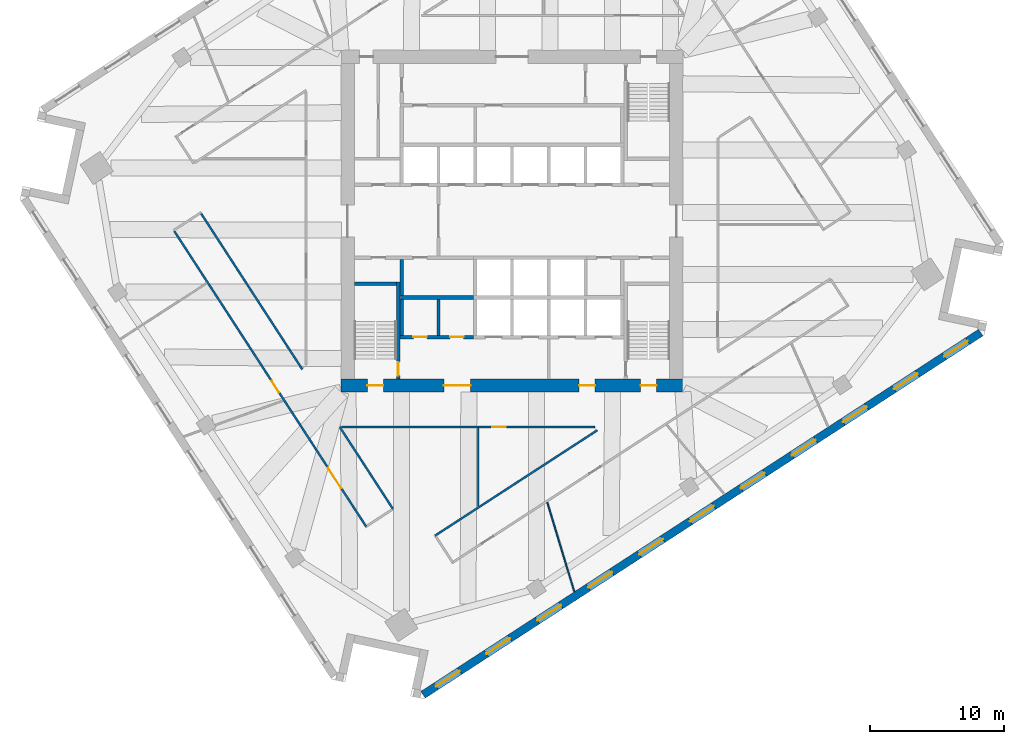
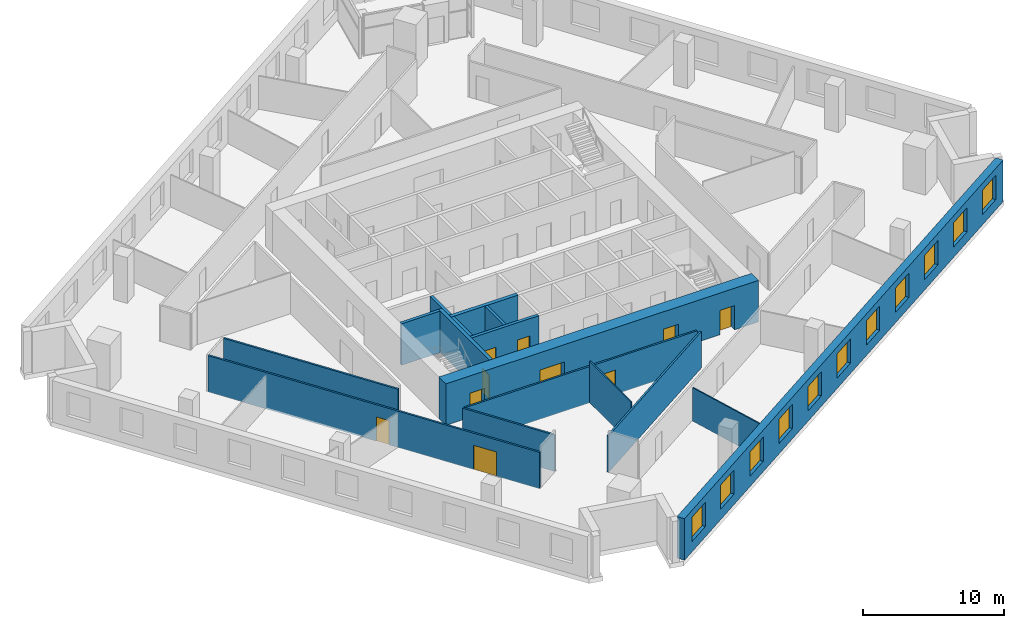
# One storey, part 6 of 12: 16 walls, 11 windows, 10 doors, 21 openings.
"""IFC4 building model written with IfcOpenShell, lengths in metres."""

import ifcopenshell
import ifcopenshell.guid

model = None  # the IFC model being written
_history = None  # IfcOwnerHistory: only IFC2X3 demands one
_inside = {}  # id of a spatial element -> (the spatial element, [elements in it])
_under = {}  # id of a project, library or spatial element -> (it, [spatial elements below it])
_declared = {}  # id of a project -> (the project, [libraries it declares])
_typed = {}  # id of a type object -> (the type object, [elements of that type])
_made_of = {}  # id of a material, layer set ... -> (it, [elements and type objects made of it])


def new_model(schema):
    """Start an empty IFC model of exactly this schema.

    Asked for "IFC4X3", IfcOpenShell would pick the latest addendum, in which some entities
    have other attributes; the version numbers below select the first issue.
    IFC2X3 requires an IfcOwnerHistory on every rooted entity: one is made here for all.
    """
    global model, _history
    if schema == "IFC4X3":
        model = ifcopenshell.file(schema_version=(4, 3, 0, 0))
    else:
        model = ifcopenshell.file(schema=schema)
    _inside.clear()
    _under.clear()
    _declared.clear()
    _typed.clear()
    _made_of.clear()
    _history = None
    if model.schema == "IFC2X3":
        org = make("IfcOrganization", Name="unknown")
        user = make(
            "IfcPersonAndOrganization",
            ThePerson=make("IfcPerson", FamilyName="unknown"),
            TheOrganization=org,
        )
        app = make(
            "IfcApplication",
            ApplicationDeveloper=org,
            Version="unknown",
            ApplicationFullName="unknown",
            ApplicationIdentifier="unknown",
        )
        _history = make(
            "IfcOwnerHistory",
            OwningUser=user,
            OwningApplication=app,
            ChangeAction="ADDED",
            CreationDate=0,
        )
    return model


def make(cls, **values):
    """One entity of the class cls with the attributes given. An attribute that is None is left unset."""
    return model.create_entity(
        cls, **{name: value for name, value in values.items() if value is not None}
    )


def rooted(cls, **values):
    """An entity with a GlobalId (a new one), such as an element, a storey or a relation."""
    return make(cls, GlobalId=ifcopenshell.guid.new(), OwnerHistory=_history, **values)


def si_unit(unit_type, name, prefix=None):
    """IfcSIUnit, for example si_unit("LENGTHUNIT", "METRE", prefix="MILLI")."""
    return make("IfcSIUnit", UnitType=unit_type, Prefix=prefix, Name=name)


def assignment(units):
    """IfcUnitAssignment: the units of a project."""
    return None if units is None else make("IfcUnitAssignment", Units=units)


def point(xyz):
    """IfcCartesianPoint."""
    return None if xyz is None else make("IfcCartesianPoint", Coordinates=xyz)


def direction(xyz):
    """IfcDirection."""
    return None if xyz is None else make("IfcDirection", DirectionRatios=xyz)


def frame(location, z_axis=None, x_axis=None):
    """IfcAxis2Placement3D, a coordinate frame: its origin and axes. An axis left out is left unset."""
    return make(
        "IfcAxis2Placement3D",
        Location=point(location),
        Axis=direction(z_axis),
        RefDirection=direction(x_axis),
    )


def frame_2d(location, x_axis=None):
    """IfcAxis2Placement2D, a coordinate frame in the plane: its origin and x axis."""
    return make(
        "IfcAxis2Placement2D", Location=point(location), RefDirection=direction(x_axis)
    )


def origin():
    """The frame at (0, 0, 0) with its axes left unset."""
    return frame((0.0, 0.0, 0.0))


def place(relative_to, where):
    """IfcLocalPlacement: puts the frame where relative to a parent placement (None: the world)."""
    return make(
        "IfcLocalPlacement", PlacementRelTo=relative_to, RelativePlacement=where
    )


def context(
    kind, dimensions, precision=None, world=None, true_north=None, identifier=None
):
    """IfcGeometricRepresentationContext, for example the 3D "Model" context."""
    return make(
        "IfcGeometricRepresentationContext",
        ContextIdentifier=identifier,
        ContextType=kind,
        CoordinateSpaceDimension=dimensions,
        Precision=precision,
        WorldCoordinateSystem=world,
        TrueNorth=true_north,
    )


def subcontext(parent, identifier, kind, view, scale=None):
    """IfcGeometricRepresentationSubContext, for example "Body" below "Model"."""
    return make(
        "IfcGeometricRepresentationSubContext",
        ContextIdentifier=identifier,
        ContextType=kind,
        ParentContext=parent,
        TargetScale=scale,
        TargetView=view,
    )


def project(units=None, contexts=None):
    """IfcProject with its units and contexts."""
    return rooted(
        "IfcProject",
        Name="project",
        RepresentationContexts=contexts,
        UnitsInContext=assignment(units),
    )


def spatial(cls, under=None, at=None, **own):
    """A site, building, storey or space (cls), placed at a placement, below another one or the project."""
    s = rooted(cls, ObjectPlacement=at, **own)
    if under is not None:
        _under.setdefault(under.id(), (under, []))[1].append(s)
    return s


def profile(cls, at=None, kind="AREA", **sizes):
    """A parametric profile (cls). Its sizes go by their IFC names, for example OverallWidth=200.0."""
    return make(cls, ProfileType=kind, Position=at, **sizes)


def rectangle(**sizes):
    """IfcRectangleProfileDef."""
    return profile("IfcRectangleProfileDef", **sizes)


def extrude(swept, where, along, depth):
    """IfcExtrudedAreaSolid: the profile swept, set in the frame where, extruded along a direction by depth."""
    return make(
        "IfcExtrudedAreaSolid",
        SweptArea=swept,
        Position=where,
        ExtrudedDirection=direction(along),
        Depth=depth,
    )


def shape(context_of_items, identifier, shape_type, items):
    """IfcShapeRepresentation: the items that make up one representation, for example the "Body"."""
    return make(
        "IfcShapeRepresentation",
        ContextOfItems=context_of_items,
        RepresentationIdentifier=identifier,
        RepresentationType=shape_type,
        Items=items,
    )


def material(Name=None, Category=None):
    """IfcMaterial."""
    return make("IfcMaterial", Name=Name, Category=Category)


def layer(
    of_material, thickness, ventilated=None, Name=None, Category=None, Priority=None
):
    """IfcMaterialLayer: one layer of a wall or slab, of a material (None: an air gap)."""
    return make(
        "IfcMaterialLayer",
        Material=of_material,
        LayerThickness=thickness,
        IsVentilated=ventilated,
        Name=Name,
        Category=Category,
        Priority=Priority,
    )


def layer_set(layers, Name=None):
    """IfcMaterialLayerSet."""
    return make("IfcMaterialLayerSet", MaterialLayers=layers, LayerSetName=Name)


def made_of(thing, what):
    """Note that an element or type object is made of a material, layer set ...; save() writes the relation."""
    if what is not None:
        _made_of.setdefault(what.id(), (what, []))[1].append(thing)
    return thing


def type_object(cls, material=None, **own):
    """A type object (cls), such as IfcWallType, which elements share."""
    return made_of(rooted(cls, **own), material)


def element(
    cls,
    number,
    at=None,
    inside=None,
    cuts=None,
    type_object=None,
    material=None,
    context=None,
    identifier="Body",
    shape_type=None,
    held_by="IfcProductDefinitionShape",
    body=None,
    shapes=None,
    **own,
):
    """One element of the class cls, such as IfcWall. Its Tag is "e" and its number.

    at: its placement. inside: the storey or other place that contains it. cuts: it is an
    opening in that element (IfcRelVoidsElement). A single representation is given by context,
    identifier, shape_type and body (its items); several are given by shapes. held_by: the class
    of the entity that holds the representations. save() writes the other relations.
    """
    e = rooted(cls, Tag="e%d" % number, ObjectPlacement=at, **own)
    if body is not None:
        shapes = [shape(context, identifier, shape_type, body)]
    if shapes is not None:
        e.Representation = make(held_by, Representations=shapes)
    if inside is not None:
        _inside.setdefault(inside.id(), (inside, []))[1].append(e)
    if cuts is not None:
        rooted(
            "IfcRelVoidsElement", RelatingBuildingElement=cuts, RelatedOpeningElement=e
        )
    if type_object is not None:
        _typed.setdefault(type_object.id(), (type_object, []))[1].append(e)
    return made_of(e, material)


def fill(opening, filler):
    """IfcRelFillsElement: the door or window that sits in an opening."""
    return rooted(
        "IfcRelFillsElement",
        RelatingOpeningElement=opening,
        RelatedBuildingElement=filler,
    )


def aggregate(whole, parts):
    """IfcRelAggregates: a whole, such as a stair, and the parts it consists of."""
    return rooted("IfcRelAggregates", RelatingObject=whole, RelatedObjects=parts)


def save(model, path):
    """Write the relations noted so far, then the file.

    IfcRelAggregates (storeys below a building ...), IfcRelContainedInSpatialStructure (elements
    in a storey), IfcRelDefinesByType, IfcRelAssociatesMaterial and IfcRelDeclares: one each for
    every whole, place, type object, material and project.
    """
    for whole, parts in _under.values():
        aggregate(whole, parts)
    for where, things in _inside.values():
        rooted(
            "IfcRelContainedInSpatialStructure",
            RelatedElements=things,
            RelatingStructure=where,
        )
    for kind, things in _typed.values():
        rooted("IfcRelDefinesByType", RelatedObjects=things, RelatingType=kind)
    for what, things in _made_of.values():
        rooted("IfcRelAssociatesMaterial", RelatedObjects=things, RelatingMaterial=what)
    for by, libraries in _declared.values():
        rooted("IfcRelDeclares", RelatingContext=by, RelatedDefinitions=libraries)
    model.write(path)


model = new_model("IFC4")

# Units and contexts
model_context = context("Model", 3, precision=1e-05, world=origin(), true_north=direction((0.0, 1.0)))
body_context = subcontext(model_context, "Body", "Model", "MODEL_VIEW")
ifc_project = project(units=[si_unit("LENGTHUNIT", "METRE"), si_unit("AREAUNIT", "SQUARE_METRE"), si_unit("VOLUMEUNIT", "CUBIC_METRE"), si_unit("PLANEANGLEUNIT", "RADIAN"), si_unit("MASSUNIT", "GRAM", prefix="KILO")], contexts=[model_context])

# Site, building, storey
site_placement = place(None, origin())
site = spatial("IfcSite", under=ifc_project, at=site_placement, CompositionType="ELEMENT")
building_placement = place(site_placement, origin())
building = spatial("IfcBuilding", under=site, at=building_placement, Name="Dilmun Exchange Tower", CompositionType="ELEMENT")
storey_placement = place(building_placement, frame((0.0, 0.0, 155.699951171875)))
storey = spatial("IfcBuildingStorey", under=building, at=storey_placement, Name="L36", CompositionType="ELEMENT", Elevation=155.699951171875)

# Wall
ifc_material_1 = material(Name="Concrete C40/50", Category="concrete")
ifc_layer_1 = layer(ifc_material_1, 0.199951171875)
ifc_layer_set_1 = layer_set([ifc_layer_1], Name="Concrete C40/50")
wall_type_1 = type_object("IfcWallType", Name="Core partition wall 200", PredefinedType="PARTITIONING", material=ifc_layer_set_1)
wall_1_placement = place(storey_placement, frame((-5.5, -8.544921875, 0.0), z_axis=(0.0, 0.0, 1.0), x_axis=(0.0, 1.0, 0.0)))
element("IfcWall", 1, at=wall_1_placement, inside=storey, type_object=wall_type_1, Name="L36 core partition wall 04", PredefinedType="PARTITIONING", context=body_context, shape_type="SweptSolid", body=[
    extrude(rectangle(XDim=2.68994140625, YDim=0.199951171875, at=frame_2d((1.344970703125, 0.0))), origin(), (0.0, 0.0, 1.0), 3.60009765625),
])

# Wall, openings, doors
ifc_layer_2 = layer(ifc_material_1, 0.25)
ifc_layer_set_2 = layer_set([ifc_layer_2], Name="Concrete C40/50")
wall_type_2 = type_object("IfcWallType", Name="Core partition wall 250", PredefinedType="PARTITIONING", material=ifc_layer_set_2)
wall_2_placement = place(storey_placement, frame((-8.3701171875, -8.675048828125, 0.0), z_axis=(0.0, 0.0, 1.0), x_axis=(1.0, 0.0, 0.0)))
wall_2 = element("IfcWall", 2, at=wall_2_placement, inside=storey, type_object=wall_type_2, Name="L36 core partition wall 02", PredefinedType="PARTITIONING", context=body_context, shape_type="SweptSolid", body=[
    extrude(rectangle(XDim=5.490234375, YDim=0.25, at=frame_2d((2.7451171875, 0.0))), origin(), (0.0, 0.0, 1.0), 3.60009765625),
])
opening_1_placement = place(wall_2_placement, frame((0.9951171875, 0.0, 0.0)))
opening_1 = element("IfcOpeningElement", 3, at=opening_1_placement, cuts=wall_2, Name="Opening CD4", PredefinedType="OPENING", context=body_context, shape_type="SweptSolid", body=[
    extrude(rectangle(XDim=1.0, YDim=2.10009765625, at=frame_2d((0.5, 1.050048828125))), frame((0.0, 0.135009765625, 0.0), z_axis=(0.0, -1.0, 0.0), x_axis=(1.0, 0.0, 0.0)), (0.0, 0.0, 1.0), 0.27001953125),
])
opening_2_placement = place(wall_2_placement, frame((3.7451171875, 0.0, 0.0)))
opening_2 = element("IfcOpeningElement", 4, at=opening_2_placement, cuts=wall_2, Name="Opening CD4", PredefinedType="OPENING", context=body_context, shape_type="SweptSolid", body=[
    extrude(rectangle(XDim=1.0, YDim=2.10009765625, at=frame_2d((0.5, 1.050048828125))), frame((0.0, 0.135009765625, 0.0), z_axis=(0.0, -1.0, 0.0), x_axis=(1.0, 0.0, 0.0)), (0.0, 0.0, 1.0), 0.27001953125),
])
ifc_material_2 = material(Name="Fire-rated steel door set", Category="steel")
door_type_1 = type_object("IfcDoorType", Name="Core room door 1000x2100", OperationType="SINGLE_SWING_LEFT", PredefinedType="DOOR", material=ifc_material_2)
door_1_placement = place(opening_1_placement, origin())
door_1 = element("IfcDoor", 5, at=door_1_placement, inside=storey, type_object=door_type_1, Name="L36 door Male WC", OperationType="SINGLE_SWING_LEFT", OverallHeight=2.10009765625, OverallWidth=1.0, PredefinedType="DOOR", context=body_context, shape_type="SweptSolid", body=[
    extrude(rectangle(XDim=1.0, YDim=2.10009765625, at=frame_2d((0.5, 1.050048828125))), frame((0.0, 0.02490234375, 0.0), z_axis=(0.0, -1.0, 0.0), x_axis=(1.0, 0.0, 0.0)), (0.0, 0.0, 1.0), 0.050048828125),
])
fill(opening_1, door_1)
door_2_placement = place(opening_2_placement, origin())
door_2 = element("IfcDoor", 6, at=door_2_placement, inside=storey, type_object=door_type_1, Name="L36 door Female WC", OperationType="SINGLE_SWING_LEFT", OverallHeight=2.10009765625, OverallWidth=1.0, PredefinedType="DOOR", context=body_context, shape_type="SweptSolid", body=[
    extrude(rectangle(XDim=1.0, YDim=2.10009765625, at=frame_2d((0.5, 1.050048828125))), frame((0.0, 0.02490234375, 0.0), z_axis=(0.0, -1.0, 0.0), x_axis=(1.0, 0.0, 0.0)), (0.0, 0.0, 1.0), 0.050048828125),
])
fill(opening_2, door_2)

# Walls
for number, where, z_axis, x_axis, name in (
    (7, (-8.25, -8.544921875, 0.0), (0.0, 0.0, 1.0), (0.0, 1.0, 0.0), "L36 core partition wall 03"),
    (8, (-8.25, -5.544921875, 0.0), (0.0, 0.0, 1.0), (0.0, 1.0, 0.0), "L36 core partition wall 06"),
):
    element("IfcWall", number, at=place(storey_placement, frame(where, z_axis=z_axis, x_axis=x_axis)), inside=storey, type_object=wall_type_2, Name=name, PredefinedType="PARTITIONING", context=body_context, shape_type="SweptSolid", body=[
        extrude(rectangle(XDim=2.68994140625, YDim=0.25, at=frame_2d((1.344970703125, 0.0))), origin(), (0.0, 0.0, 1.0), 3.60009765625),
    ])
ifc_layer_3 = layer(ifc_material_1, 0.300048828125)
ifc_layer_set_3 = layer_set([ifc_layer_3], Name="Concrete C40/50")
wall_type_3 = type_object("IfcWallType", Name="Core partition wall 300", PredefinedType="PARTITIONING", material=ifc_layer_set_3)
wall_3_placement = place(storey_placement, frame((-8.35009765625, -5.699951171875, 0.0), z_axis=(0.0, 0.0, 1.0), x_axis=(1.0, 0.0, 0.0)))
element("IfcWall", 9, at=wall_3_placement, inside=storey, type_object=wall_type_3, Name="L36 core partition wall 05", PredefinedType="PARTITIONING", context=body_context, shape_type="SweptSolid", body=[
    extrude(rectangle(XDim=5.47021484375, YDim=0.300048828125, at=frame_2d((2.735107421875, 0.0))), origin(), (0.0, 0.0, 1.0), 3.60009765625),
])

# Wall, openings, doors
ifc_material_3 = material(Name="Concrete C70/85", Category="concrete")
ifc_layer_4 = layer(ifc_material_3, 1.0)
ifc_layer_set_4 = layer_set([ifc_layer_4], Name="Concrete C70/85")
wall_type_4 = type_object("IfcWallType", Name="Core shear wall 1000 Concrete C70/85", PredefinedType="SHEAR", material=ifc_layer_set_4)
wall_4_placement = place(storey_placement, frame((-12.800048828125, -12.300048828125, 0.0), z_axis=(0.0, 0.0, 1.0), x_axis=(1.0, 0.0, 0.0)))
wall_4 = element("IfcWall", 10, at=wall_4_placement, inside=storey, type_object=wall_type_4, Name="L36 core shear wall S", PredefinedType="SHEAR", context=body_context, shape_type="SweptSolid", body=[
    extrude(rectangle(XDim=25.60009765625, YDim=1.0, at=frame_2d((12.800048828125, 0.0))), origin(), (0.0, 0.0, 1.0), 3.60009765625),
])
opening_3_placement = place(wall_4_placement, frame((7.699951171875, 0.0, 0.0)))
opening_3 = element("IfcOpeningElement", 11, at=opening_3_placement, cuts=wall_4, Name="Opening CD2", PredefinedType="OPENING", context=body_context, shape_type="SweptSolid", body=[
    extrude(rectangle(XDim=2.0, YDim=2.10009765625, at=frame_2d((1.0, 1.050048828125))), frame((0.0, 0.510009765625, 0.0), z_axis=(0.0, -1.0, 0.0), x_axis=(1.0, 0.0, 0.0)), (0.0, 0.0, 1.0), 1.02001953125),
])
opening_4_placement = place(wall_4_placement, frame((17.824951171875, 0.0, 0.0)))
opening_4 = element("IfcOpeningElement", 12, at=opening_4_placement, cuts=wall_4, Name="Opening CD3", PredefinedType="OPENING", context=body_context, shape_type="SweptSolid", body=[
    extrude(rectangle(XDim=1.199951171875, YDim=2.10009765625, at=frame_2d((0.60009765625, 1.050048828125))), frame((0.0, 0.510009765625, 0.0), z_axis=(0.0, -1.0, 0.0), x_axis=(1.0, 0.0, 0.0)), (0.0, 0.0, 1.0), 1.02001953125),
])
opening_5_placement = place(wall_4_placement, frame((1.97509765625, 0.0, 0.0)))
opening_5 = element("IfcOpeningElement", 13, at=opening_5_placement, cuts=wall_4, Name="Opening CD3", PredefinedType="OPENING", context=body_context, shape_type="SweptSolid", body=[
    extrude(rectangle(XDim=1.199951171875, YDim=2.10009765625, at=frame_2d((0.60009765625, 1.050048828125))), frame((0.0, 0.510009765625, 0.0), z_axis=(0.0, -1.0, 0.0), x_axis=(1.0, 0.0, 0.0)), (0.0, 0.0, 1.0), 1.02001953125),
])
opening_6_placement = place(wall_4_placement, frame((22.425048828125, 0.0, 0.0)))
opening_6 = element("IfcOpeningElement", 14, at=opening_6_placement, cuts=wall_4, Name="Opening CD3", PredefinedType="OPENING", context=body_context, shape_type="SweptSolid", body=[
    extrude(rectangle(XDim=1.199951171875, YDim=2.10009765625, at=frame_2d((0.60009765625, 1.050048828125))), frame((0.0, 0.510009765625, 0.0), z_axis=(0.0, -1.0, 0.0), x_axis=(1.0, 0.0, 0.0)), (0.0, 0.0, 1.0), 1.02001953125),
])
door_type_2 = type_object("IfcDoorType", Name="Core service door 2000x2100", OperationType="DOUBLE_DOOR_DOUBLE_SWING", PredefinedType="DOOR", material=ifc_material_2)
door_3_placement = place(opening_3_placement, origin())
door_3 = element("IfcDoor", 15, at=door_3_placement, inside=storey, type_object=door_type_2, Name="L36 door South service lobby", OperationType="SINGLE_SWING_LEFT", OverallHeight=2.10009765625, OverallWidth=2.0, PredefinedType="DOOR", context=body_context, shape_type="SweptSolid", body=[
    extrude(rectangle(XDim=2.0, YDim=2.10009765625, at=frame_2d((1.0, 1.050048828125))), frame((0.0, 0.02490234375, 0.0), z_axis=(0.0, -1.0, 0.0), x_axis=(1.0, 0.0, 0.0)), (0.0, 0.0, 1.0), 0.050048828125),
])
fill(opening_3, door_3)
door_type_3 = type_object("IfcDoorType", Name="Stair exit door 1200x2100", OperationType="SINGLE_SWING_LEFT", PredefinedType="DOOR", material=ifc_material_2)
door_4_placement = place(opening_4_placement, origin())
door_4 = element("IfcDoor", 16, at=door_4_placement, inside=storey, type_object=door_type_3, Name="L36 door Fire-fighting lobby", OperationType="SINGLE_SWING_LEFT", OverallHeight=2.10009765625, OverallWidth=1.199951171875, PredefinedType="DOOR", context=body_context, shape_type="SweptSolid", body=[
    extrude(rectangle(XDim=1.199951171875, YDim=2.10009765625, at=frame_2d((0.60009765625, 1.050048828125))), frame((0.0, 0.02490234375, 0.0), z_axis=(0.0, -1.0, 0.0), x_axis=(1.0, 0.0, 0.0)), (0.0, 0.0, 1.0), 0.050048828125),
])
fill(opening_4, door_4)
door_5_placement = place(opening_5_placement, origin())
door_5 = element("IfcDoor", 17, at=door_5_placement, inside=storey, type_object=door_type_3, Name="L36 door Stair ST2", OperationType="SINGLE_SWING_LEFT", OverallHeight=2.10009765625, OverallWidth=1.199951171875, PredefinedType="DOOR", context=body_context, shape_type="SweptSolid", body=[
    extrude(rectangle(XDim=1.199951171875, YDim=2.10009765625, at=frame_2d((0.60009765625, 1.050048828125))), frame((0.0, 0.02490234375, 0.0), z_axis=(0.0, -1.0, 0.0), x_axis=(1.0, 0.0, 0.0)), (0.0, 0.0, 1.0), 0.050048828125),
])
fill(opening_5, door_5)
door_6_placement = place(opening_6_placement, origin())
door_6 = element("IfcDoor", 18, at=door_6_placement, inside=storey, type_object=door_type_3, Name="L36 door Stair ST3", OperationType="SINGLE_SWING_LEFT", OverallHeight=2.10009765625, OverallWidth=1.199951171875, PredefinedType="DOOR", context=body_context, shape_type="SweptSolid", body=[
    extrude(rectangle(XDim=1.199951171875, YDim=2.10009765625, at=frame_2d((0.60009765625, 1.050048828125))), frame((0.0, 0.02490234375, 0.0), z_axis=(0.0, -1.0, 0.0), x_axis=(1.0, 0.0, 0.0)), (0.0, 0.0, 1.0), 0.050048828125),
])
fill(opening_6, door_6)

ifc_material_4 = material(Name="Corridor wall 150")
ifc_layer_5 = layer(ifc_material_4, 0.14990234375)
ifc_layer_set_5 = layer_set([ifc_layer_5], Name="Corridor wall 150")
wall_type_5 = type_object("IfcWallType", Name="Corridor wall 150", PredefinedType="PARTITIONING", material=ifc_layer_set_5)
wall_5_placement = place(storey_placement, frame((-25.27099609375, -0.743896484375, 0.0), z_axis=(0.0, 0.0, 1.0), x_axis=(0.544659433471, -0.838657320681, 0.0)))
wall_5 = element("IfcWall", 19, at=wall_5_placement, inside=storey, type_object=wall_type_5, Name="Corridor wall", PredefinedType="PARTITIONING", context=body_context, shape_type="SweptSolid", body=[
    extrude(rectangle(XDim=26.35400390625, YDim=0.14990234375, at=frame_2d((13.177001953125, 0.0))), origin(), (0.0, 0.0, 1.0), 3.150146484375),
])
opening_7_placement = place(wall_5_placement, frame((13.3876953125, 0.0, 0.0)))
opening_7 = element("IfcOpeningElement", 20, at=opening_7_placement, cuts=wall_5, Name="Opening TF36-D03", PredefinedType="OPENING", context=body_context, shape_type="SweptSolid", body=[
    extrude(rectangle(XDim=1.0, YDim=2.10009765625, at=frame_2d((0.5, 1.050048828125))), frame((0.0, 0.0849609375, 0.0), z_axis=(0.0, -1.0, 0.0), x_axis=(1.0, 0.0, 0.0)), (0.0, 0.0, 1.0), 0.169921875),
])
opening_8_placement = place(wall_5_placement, frame((21.13671875, 0.0, 0.0)))
opening_8 = element("IfcOpeningElement", 21, at=opening_8_placement, cuts=wall_5, Name="Opening TF36-D07", PredefinedType="OPENING", context=body_context, shape_type="SweptSolid", body=[
    extrude(rectangle(XDim=1.800048828125, YDim=2.10009765625, at=frame_2d((0.89990234375, 1.050048828125))), frame((0.0, 0.0849609375, 0.0), z_axis=(0.0, -1.0, 0.0), x_axis=(1.0, 0.0, 0.0)), (0.0, 0.0, 1.0), 0.169921875),
])
ifc_material_5 = material(Name="Fire door 1000 x 2100")
door_type_4 = type_object("IfcDoorType", Name="Fire door 1000 x 2100", OperationType="NOTDEFINED", PredefinedType="DOOR", material=ifc_material_5)
door_7_placement = place(opening_7_placement, frame((1.0, 0.0, 0.0), z_axis=(0.0, 0.0, 1.0), x_axis=(-1.0, 0.0, 0.0)))
door_7 = element("IfcDoor", 22, at=door_7_placement, inside=storey, type_object=door_type_4, Name="Door TF36-D03", OperationType="SINGLE_SWING_LEFT", OverallHeight=2.10009765625, OverallWidth=1.0, PredefinedType="DOOR", context=body_context, shape_type="SweptSolid", body=[
    extrude(rectangle(XDim=1.0, YDim=2.10009765625, at=frame_2d((0.5, 1.050048828125))), frame((0.0, 0.02490234375, 0.0), z_axis=(0.0, -1.0, 0.0), x_axis=(1.0, 0.0, 0.0)), (0.0, 0.0, 1.0), 0.050048828125),
])
fill(opening_7, door_7)
ifc_material_6 = material(Name="Fire door pair 1800 x 2100")
door_type_5 = type_object("IfcDoorType", Name="Fire door pair 1800 x 2100", OperationType="NOTDEFINED", PredefinedType="DOOR", material=ifc_material_6)
door_8_placement = place(opening_8_placement, frame((1.800048828125, 0.0, 0.0), z_axis=(0.0, 0.0, 1.0), x_axis=(-1.0, 0.0, 0.0)))
door_8 = element("IfcDoor", 23, at=door_8_placement, inside=storey, type_object=door_type_5, Name="Door TF36-D07", OperationType="DOUBLE_DOOR_SINGLE_SWING", OverallHeight=2.10009765625, OverallWidth=1.800048828125, PredefinedType="DOOR", context=body_context, shape_type="SweptSolid", body=[
    extrude(rectangle(XDim=1.800048828125, YDim=2.10009765625, at=frame_2d((0.89990234375, 1.050048828125))), frame((0.0, 0.02490234375, 0.0), z_axis=(0.0, -1.0, 0.0), x_axis=(1.0, 0.0, 0.0)), (0.0, 0.0, 1.0), 0.050048828125),
])
fill(opening_8, door_8)

# Walls
wall_6_placement = place(storey_placement, frame((-23.258056640625, 0.56298828125, 0.0), z_axis=(0.0, 0.0, 1.0), x_axis=(0.544638327972, -0.838671027104, 0.0)))
element("IfcWall", 24, at=wall_6_placement, inside=storey, type_object=wall_type_5, Name="Corridor wall", PredefinedType="PARTITIONING", context=body_context, shape_type="SweptSolid", body=[
    extrude(rectangle(XDim=13.90283203125, YDim=0.14990234375, at=frame_2d((6.951416015625, 0.0))), origin(), (0.0, 0.0, 1.0), 3.150146484375),
])
wall_7_placement = place(storey_placement, frame((-12.89111328125, -15.39990234375, 0.0), z_axis=(0.0, 0.0, 1.0), x_axis=(0.544568574612, -0.838716321258, 0.0)))
element("IfcWall", 25, at=wall_7_placement, inside=storey, type_object=wall_type_5, Name="Corridor wall", PredefinedType="PARTITIONING", context=body_context, shape_type="SweptSolid", body=[
    extrude(rectangle(XDim=7.31982421875, YDim=0.14990234375, at=frame_2d((3.659912109375, 0.0))), origin(), (0.0, 0.0, 1.0), 3.150146484375),
])

# Wall, opening, door
wall_8_placement = place(storey_placement, frame((-12.7529296875, -15.39990234375, 0.0), z_axis=(0.0, 0.0, 1.0), x_axis=(1.0, 0.0, 0.0)))
wall_8 = element("IfcWall", 26, at=wall_8_placement, inside=storey, type_object=wall_type_5, Name="Corridor wall", PredefinedType="PARTITIONING", context=body_context, shape_type="SweptSolid", body=[
    extrude(rectangle(XDim=18.98193359375, YDim=0.14990234375, at=frame_2d((9.490966796875, 0.0))), origin(), (0.0, 0.0, 1.0), 3.150146484375),
])
opening_9_placement = place(wall_8_placement, frame((11.275390625, 0.0, 0.0)))
opening_9 = element("IfcOpeningElement", 27, at=opening_9_placement, cuts=wall_8, Name="Opening TF36-D11", PredefinedType="OPENING", context=body_context, shape_type="SweptSolid", body=[
    extrude(rectangle(XDim=1.0, YDim=2.10009765625, at=frame_2d((0.5, 1.050048828125))), frame((0.0, 0.0849609375, 0.0), z_axis=(0.0, -1.0, 0.0), x_axis=(1.0, 0.0, 0.0)), (0.0, 0.0, 1.0), 0.169921875),
])
door_9_placement = place(opening_9_placement, frame((1.0, 0.0, 0.0), z_axis=(0.0, 0.0, 1.0), x_axis=(-1.0, 0.0, 0.0)))
door_9 = element("IfcDoor", 28, at=door_9_placement, inside=storey, type_object=door_type_4, Name="Door TF36-D11", OperationType="SINGLE_SWING_LEFT", OverallHeight=2.10009765625, OverallWidth=1.0, PredefinedType="DOOR", context=body_context, shape_type="SweptSolid", body=[
    extrude(rectangle(XDim=1.0, YDim=2.10009765625, at=frame_2d((0.5, 1.050048828125))), frame((0.0, 0.02490234375, 0.0), z_axis=(0.0, -1.0, 0.0), x_axis=(1.0, 0.0, 0.0)), (0.0, 0.0, 1.0), 0.050048828125),
])
fill(opening_9, door_9)

# Walls
wall_9_placement = place(storey_placement, frame((-5.74609375, -23.52392578125, 0.0), z_axis=(0.0, 0.0, 1.0), x_axis=(0.838672161822, 0.544636580652, 0.0)))
element("IfcWall", 29, at=wall_9_placement, inside=storey, type_object=wall_type_5, Name="Corridor wall", PredefinedType="PARTITIONING", context=body_context, shape_type="SweptSolid", body=[
    extrude(rectangle(XDim=14.46826171875, YDim=0.14990234375, at=frame_2d((7.234130859375, 0.0))), origin(), (0.0, 0.0, 1.0), 3.150146484375),
])
ifc_material_7 = material(Name="Partition 100")
ifc_layer_6 = layer(ifc_material_7, 0.10009765625)
ifc_layer_set_6 = layer_set([ifc_layer_6], Name="Partition 100")
wall_type_6 = type_object("IfcWallType", Name="Partition 100", PredefinedType="PARTITIONING", material=ifc_layer_set_6)
wall_10_placement = place(storey_placement, frame((-2.528076171875, -21.31201171875, 0.0), z_axis=(0.0, 0.0, 1.0), x_axis=(0.0, 1.0, 0.0)))
element("IfcWall", 30, at=wall_10_placement, inside=storey, type_object=wall_type_6, Name="Partition", PredefinedType="PARTITIONING", context=body_context, shape_type="SweptSolid", body=[
    extrude(rectangle(XDim=5.8369140625, YDim=0.10009765625, at=frame_2d((2.91845703125, 0.0))), origin(), (0.0, 0.0, 1.0), 3.60009765625),
])
wall_11_placement = place(storey_placement, frame((2.642822265625, -21.043701171875, 0.0), z_axis=(0.0, 0.0, 1.0), x_axis=(0.289254732228, -0.957252161076, 0.0)))
element("IfcWall", 31, at=wall_11_placement, inside=storey, type_object=wall_type_6, Name="Partition", PredefinedType="PARTITIONING", context=body_context, shape_type="SweptSolid", body=[
    extrude(rectangle(XDim=6.98681640625, YDim=0.10009765625, at=frame_2d((3.493408203125, 0.0))), origin(), (0.0, 0.0, 1.0), 2.900146484375),
])

# Wall, openings, windows
ifc_material_8 = material(Name="Precast concrete C50/60", Category="concrete")
ifc_layer_7 = layer(ifc_material_8, 0.60009765625)
ifc_layer_set_7 = layer_set([ifc_layer_7], Name="Precast concrete C50/60")
wall_type_7 = type_object("IfcWallType", Name="Precast stone-clad wall 600", PredefinedType="STANDARD", material=ifc_layer_set_7)
wall_12_placement = place(storey_placement, frame((-6.6474609375, -35.4375, 0.0), z_axis=(0.0, 0.0, 1.0), x_axis=(0.838672034147, 0.544636777257, 0.0)))
wall_12 = element("IfcWall", 32, at=wall_12_placement, inside=storey, type_object=wall_type_7, Name="Facade wall L36-15", PredefinedType="STANDARD", context=body_context, shape_type="SweptSolid", body=[
    extrude(rectangle(XDim=49.75146484375, YDim=0.60009765625, at=frame_2d((24.875732421875, 0.0))), origin(), (0.0, 0.0, 1.0), 3.60009765625),
])
opening_10_placement = place(wall_12_placement, frame((1.16064453125, 0.0, 0.89990234375)))
opening_10 = element("IfcOpeningElement", 33, at=opening_10_placement, cuts=wall_12, Name="Opening W210-210", PredefinedType="OPENING", context=body_context, shape_type="SweptSolid", body=[
    extrude(rectangle(XDim=2.10009765625, YDim=2.10009765625, at=frame_2d((1.050048828125, 1.050048828125))), frame((0.0, 0.31005859375, 0.0), z_axis=(0.0, -1.0, 0.0), x_axis=(1.0, 0.0, 0.0)), (0.0, 0.0, 1.0), 0.6201171875),
])
opening_11_placement = place(wall_12_placement, frame((5.643798828125, 0.0, 0.89990234375)))
opening_11 = element("IfcOpeningElement", 34, at=opening_11_placement, cuts=wall_12, Name="Opening W210-210", PredefinedType="OPENING", context=body_context, shape_type="SweptSolid", body=[
    extrude(rectangle(XDim=2.10009765625, YDim=2.10009765625, at=frame_2d((1.050048828125, 1.050048828125))), frame((0.0, 0.31005859375, 0.0), z_axis=(0.0, -1.0, 0.0), x_axis=(1.0, 0.0, 0.0)), (0.0, 0.0, 1.0), 0.6201171875),
])
opening_12_placement = place(wall_12_placement, frame((10.189453125, 0.0, 0.89990234375)))
opening_12 = element("IfcOpeningElement", 35, at=opening_12_placement, cuts=wall_12, Name="Opening W210-210", PredefinedType="OPENING", context=body_context, shape_type="SweptSolid", body=[
    extrude(rectangle(XDim=2.10009765625, YDim=2.10009765625, at=frame_2d((1.050048828125, 1.050048828125))), frame((0.0, 0.31005859375, 0.0), z_axis=(0.0, -1.0, 0.0), x_axis=(1.0, 0.0, 0.0)), (0.0, 0.0, 1.0), 0.6201171875),
])
opening_13_placement = place(wall_12_placement, frame((14.73486328125, 0.0, 0.89990234375)))
opening_13 = element("IfcOpeningElement", 36, at=opening_13_placement, cuts=wall_12, Name="Opening W210-210", PredefinedType="OPENING", context=body_context, shape_type="SweptSolid", body=[
    extrude(rectangle(XDim=2.10009765625, YDim=2.10009765625, at=frame_2d((1.050048828125, 1.050048828125))), frame((0.0, 0.31005859375, 0.0), z_axis=(0.0, -1.0, 0.0), x_axis=(1.0, 0.0, 0.0)), (0.0, 0.0, 1.0), 0.6201171875),
])
opening_14_placement = place(wall_12_placement, frame((19.2802734375, 0.0, 0.89990234375)))
opening_14 = element("IfcOpeningElement", 37, at=opening_14_placement, cuts=wall_12, Name="Opening W210-210", PredefinedType="OPENING", context=body_context, shape_type="SweptSolid", body=[
    extrude(rectangle(XDim=2.10009765625, YDim=2.10009765625, at=frame_2d((1.050048828125, 1.050048828125))), frame((0.0, 0.31005859375, 0.0), z_axis=(0.0, -1.0, 0.0), x_axis=(1.0, 0.0, 0.0)), (0.0, 0.0, 1.0), 0.6201171875),
])
opening_15_placement = place(wall_12_placement, frame((23.82568359375, 0.0, 0.89990234375)))
opening_15 = element("IfcOpeningElement", 38, at=opening_15_placement, cuts=wall_12, Name="Opening W210-210", PredefinedType="OPENING", context=body_context, shape_type="SweptSolid", body=[
    extrude(rectangle(XDim=2.10009765625, YDim=2.10009765625, at=frame_2d((1.050048828125, 1.050048828125))), frame((0.0, 0.31005859375, 0.0), z_axis=(0.0, -1.0, 0.0), x_axis=(1.0, 0.0, 0.0)), (0.0, 0.0, 1.0), 0.6201171875),
])
opening_16_placement = place(wall_12_placement, frame((28.37109375, 0.0, 0.89990234375)))
opening_16 = element("IfcOpeningElement", 39, at=opening_16_placement, cuts=wall_12, Name="Opening W210-210", PredefinedType="OPENING", context=body_context, shape_type="SweptSolid", body=[
    extrude(rectangle(XDim=2.10009765625, YDim=2.10009765625, at=frame_2d((1.050048828125, 1.050048828125))), frame((0.0, 0.31005859375, 0.0), z_axis=(0.0, -1.0, 0.0), x_axis=(1.0, 0.0, 0.0)), (0.0, 0.0, 1.0), 0.6201171875),
])
opening_17_placement = place(wall_12_placement, frame((32.91650390625, 0.0, 0.89990234375)))
opening_17 = element("IfcOpeningElement", 40, at=opening_17_placement, cuts=wall_12, Name="Opening W210-210", PredefinedType="OPENING", context=body_context, shape_type="SweptSolid", body=[
    extrude(rectangle(XDim=2.10009765625, YDim=2.10009765625, at=frame_2d((1.050048828125, 1.050048828125))), frame((0.0, 0.31005859375, 0.0), z_axis=(0.0, -1.0, 0.0), x_axis=(1.0, 0.0, 0.0)), (0.0, 0.0, 1.0), 0.6201171875),
])
opening_18_placement = place(wall_12_placement, frame((37.462158203125, 0.0, 0.89990234375)))
opening_18 = element("IfcOpeningElement", 41, at=opening_18_placement, cuts=wall_12, Name="Opening W210-210", PredefinedType="OPENING", context=body_context, shape_type="SweptSolid", body=[
    extrude(rectangle(XDim=2.10009765625, YDim=2.10009765625, at=frame_2d((1.050048828125, 1.050048828125))), frame((0.0, 0.31005859375, 0.0), z_axis=(0.0, -1.0, 0.0), x_axis=(1.0, 0.0, 0.0)), (0.0, 0.0, 1.0), 0.6201171875),
])
opening_19_placement = place(wall_12_placement, frame((42.007568359375, 0.0, 0.89990234375)))
opening_19 = element("IfcOpeningElement", 42, at=opening_19_placement, cuts=wall_12, Name="Opening W210-210", PredefinedType="OPENING", context=body_context, shape_type="SweptSolid", body=[
    extrude(rectangle(XDim=2.10009765625, YDim=2.10009765625, at=frame_2d((1.050048828125, 1.050048828125))), frame((0.0, 0.31005859375, 0.0), z_axis=(0.0, -1.0, 0.0), x_axis=(1.0, 0.0, 0.0)), (0.0, 0.0, 1.0), 0.6201171875),
])
opening_20_placement = place(wall_12_placement, frame((46.490966796875, 0.0, 0.89990234375)))
opening_20 = element("IfcOpeningElement", 43, at=opening_20_placement, cuts=wall_12, Name="Opening W210-210", PredefinedType="OPENING", context=body_context, shape_type="SweptSolid", body=[
    extrude(rectangle(XDim=2.10009765625, YDim=2.10009765625, at=frame_2d((1.050048828125, 1.050048828125))), frame((0.0, 0.31005859375, 0.0), z_axis=(0.0, -1.0, 0.0), x_axis=(1.0, 0.0, 0.0)), (0.0, 0.0, 1.0), 0.6201171875),
])
ifc_material_9 = material(Name="Clear low-emissivity glass in aluminium frame", Category="aluminium")
window_type = type_object("IfcWindowType", Name="Punched window 2100 x 2100", PartitioningType="DOUBLE_PANEL_VERTICAL", PredefinedType="WINDOW", material=ifc_material_9)
window_1_placement = place(opening_10_placement, origin())
window_1 = element("IfcWindow", 44, at=window_1_placement, inside=storey, type_object=window_type, Name="Window 16.1", OverallHeight=2.10009765625, OverallWidth=2.10009765625, PartitioningType="SINGLE_PANEL", PredefinedType="WINDOW", context=body_context, shape_type="SweptSolid", body=[
    extrude(rectangle(XDim=2.10009765625, YDim=2.10009765625, at=frame_2d((1.050048828125, 1.050048828125))), frame((0.0, 0.030029296875, 0.0), z_axis=(0.0, -1.0, 0.0), x_axis=(1.0, 0.0, 0.0)), (0.0, 0.0, 1.0), 0.06005859375),
])
fill(opening_10, window_1)
window_2_placement = place(opening_11_placement, origin())
window_2 = element("IfcWindow", 45, at=window_2_placement, inside=storey, type_object=window_type, Name="Window 16.2", OverallHeight=2.10009765625, OverallWidth=2.10009765625, PartitioningType="SINGLE_PANEL", PredefinedType="WINDOW", context=body_context, shape_type="SweptSolid", body=[
    extrude(rectangle(XDim=2.10009765625, YDim=2.10009765625, at=frame_2d((1.050048828125, 1.050048828125))), frame((0.0, 0.030029296875, 0.0), z_axis=(0.0, -1.0, 0.0), x_axis=(1.0, 0.0, 0.0)), (0.0, 0.0, 1.0), 0.06005859375),
])
fill(opening_11, window_2)
window_3_placement = place(opening_12_placement, origin())
window_3 = element("IfcWindow", 46, at=window_3_placement, inside=storey, type_object=window_type, Name="Window 16.3", OverallHeight=2.10009765625, OverallWidth=2.10009765625, PartitioningType="SINGLE_PANEL", PredefinedType="WINDOW", context=body_context, shape_type="SweptSolid", body=[
    extrude(rectangle(XDim=2.10009765625, YDim=2.10009765625, at=frame_2d((1.050048828125, 1.050048828125))), frame((0.0, 0.030029296875, 0.0), z_axis=(0.0, -1.0, 0.0), x_axis=(1.0, 0.0, 0.0)), (0.0, 0.0, 1.0), 0.06005859375),
])
fill(opening_12, window_3)
window_4_placement = place(opening_13_placement, origin())
window_4 = element("IfcWindow", 47, at=window_4_placement, inside=storey, type_object=window_type, Name="Window 16.4", OverallHeight=2.10009765625, OverallWidth=2.10009765625, PartitioningType="SINGLE_PANEL", PredefinedType="WINDOW", context=body_context, shape_type="SweptSolid", body=[
    extrude(rectangle(XDim=2.10009765625, YDim=2.10009765625, at=frame_2d((1.050048828125, 1.050048828125))), frame((0.0, 0.030029296875, 0.0), z_axis=(0.0, -1.0, 0.0), x_axis=(1.0, 0.0, 0.0)), (0.0, 0.0, 1.0), 0.06005859375),
])
fill(opening_13, window_4)
window_5_placement = place(opening_14_placement, origin())
window_5 = element("IfcWindow", 48, at=window_5_placement, inside=storey, type_object=window_type, Name="Window 16.5", OverallHeight=2.10009765625, OverallWidth=2.10009765625, PartitioningType="SINGLE_PANEL", PredefinedType="WINDOW", context=body_context, shape_type="SweptSolid", body=[
    extrude(rectangle(XDim=2.10009765625, YDim=2.10009765625, at=frame_2d((1.050048828125, 1.050048828125))), frame((0.0, 0.030029296875, 0.0), z_axis=(0.0, -1.0, 0.0), x_axis=(1.0, 0.0, 0.0)), (0.0, 0.0, 1.0), 0.06005859375),
])
fill(opening_14, window_5)
window_6_placement = place(opening_15_placement, origin())
window_6 = element("IfcWindow", 49, at=window_6_placement, inside=storey, type_object=window_type, Name="Window 16.6", OverallHeight=2.10009765625, OverallWidth=2.10009765625, PartitioningType="SINGLE_PANEL", PredefinedType="WINDOW", context=body_context, shape_type="SweptSolid", body=[
    extrude(rectangle(XDim=2.10009765625, YDim=2.10009765625, at=frame_2d((1.050048828125, 1.050048828125))), frame((0.0, 0.030029296875, 0.0), z_axis=(0.0, -1.0, 0.0), x_axis=(1.0, 0.0, 0.0)), (0.0, 0.0, 1.0), 0.06005859375),
])
fill(opening_15, window_6)
window_7_placement = place(opening_16_placement, origin())
window_7 = element("IfcWindow", 50, at=window_7_placement, inside=storey, type_object=window_type, Name="Window 16.7", OverallHeight=2.10009765625, OverallWidth=2.10009765625, PartitioningType="SINGLE_PANEL", PredefinedType="WINDOW", context=body_context, shape_type="SweptSolid", body=[
    extrude(rectangle(XDim=2.10009765625, YDim=2.10009765625, at=frame_2d((1.050048828125, 1.050048828125))), frame((0.0, 0.030029296875, 0.0), z_axis=(0.0, -1.0, 0.0), x_axis=(1.0, 0.0, 0.0)), (0.0, 0.0, 1.0), 0.06005859375),
])
fill(opening_16, window_7)
window_8_placement = place(opening_17_placement, origin())
window_8 = element("IfcWindow", 51, at=window_8_placement, inside=storey, type_object=window_type, Name="Window 16.8", OverallHeight=2.10009765625, OverallWidth=2.10009765625, PartitioningType="SINGLE_PANEL", PredefinedType="WINDOW", context=body_context, shape_type="SweptSolid", body=[
    extrude(rectangle(XDim=2.10009765625, YDim=2.10009765625, at=frame_2d((1.050048828125, 1.050048828125))), frame((0.0, 0.030029296875, 0.0), z_axis=(0.0, -1.0, 0.0), x_axis=(1.0, 0.0, 0.0)), (0.0, 0.0, 1.0), 0.06005859375),
])
fill(opening_17, window_8)
window_9_placement = place(opening_18_placement, origin())
window_9 = element("IfcWindow", 52, at=window_9_placement, inside=storey, type_object=window_type, Name="Window 16.9", OverallHeight=2.10009765625, OverallWidth=2.10009765625, PartitioningType="SINGLE_PANEL", PredefinedType="WINDOW", context=body_context, shape_type="SweptSolid", body=[
    extrude(rectangle(XDim=2.10009765625, YDim=2.10009765625, at=frame_2d((1.050048828125, 1.050048828125))), frame((0.0, 0.030029296875, 0.0), z_axis=(0.0, -1.0, 0.0), x_axis=(1.0, 0.0, 0.0)), (0.0, 0.0, 1.0), 0.06005859375),
])
fill(opening_18, window_9)
window_10_placement = place(opening_19_placement, origin())
window_10 = element("IfcWindow", 53, at=window_10_placement, inside=storey, type_object=window_type, Name="Window 16.10", OverallHeight=2.10009765625, OverallWidth=2.10009765625, PartitioningType="SINGLE_PANEL", PredefinedType="WINDOW", context=body_context, shape_type="SweptSolid", body=[
    extrude(rectangle(XDim=2.10009765625, YDim=2.10009765625, at=frame_2d((1.050048828125, 1.050048828125))), frame((0.0, 0.030029296875, 0.0), z_axis=(0.0, -1.0, 0.0), x_axis=(1.0, 0.0, 0.0)), (0.0, 0.0, 1.0), 0.06005859375),
])
fill(opening_19, window_10)
window_11_placement = place(opening_20_placement, origin())
window_11 = element("IfcWindow", 54, at=window_11_placement, inside=storey, type_object=window_type, Name="Window 16.11", OverallHeight=2.10009765625, OverallWidth=2.10009765625, PartitioningType="SINGLE_PANEL", PredefinedType="WINDOW", context=body_context, shape_type="SweptSolid", body=[
    extrude(rectangle(XDim=2.10009765625, YDim=2.10009765625, at=frame_2d((1.050048828125, 1.050048828125))), frame((0.0, 0.030029296875, 0.0), z_axis=(0.0, -1.0, 0.0), x_axis=(1.0, 0.0, 0.0)), (0.0, 0.0, 1.0), 0.06005859375),
])
fill(opening_20, window_11)

# Wall
ifc_layer_8 = layer(ifc_material_1, 0.25)
ifc_layer_set_8 = layer_set([ifc_layer_8], Name="Concrete C40/50")
wall_type_8 = type_object("IfcWallType", Name="Stair end wall 250", PredefinedType="SOLIDWALL", material=ifc_layer_set_8)
wall_13_placement = place(storey_placement, frame((-8.64990234375, -4.675048828125, 0.0), z_axis=(0.0, 0.0, 1.0), x_axis=(-1.0, 0.0, 0.0)))
element("IfcWall", 55, at=wall_13_placement, inside=storey, type_object=wall_type_8, Name="L36 ST2 far wall", PredefinedType="SOLIDWALL", context=body_context, shape_type="SweptSolid", body=[
    extrude(rectangle(XDim=3.150146484375, YDim=0.25, at=frame_2d((1.5751953125, 0.0))), origin(), (0.0, 0.0, 1.0), 3.60009765625),
])

# Wall, opening, door
ifc_layer_9 = layer(ifc_material_1, 0.27490234375)
ifc_layer_set_9 = layer_set([ifc_layer_9], Name="Concrete C40/50")
wall_type_9 = type_object("IfcWallType", Name="Stair wall 275", PredefinedType="SOLIDWALL", material=ifc_layer_set_9)
wall_14_placement = place(storey_placement, frame((-8.512451171875, -4.550048828125, 0.0), z_axis=(0.0, 0.0, 1.0), x_axis=(0.0, -1.0, 0.0)))
wall_14 = element("IfcWall", 56, at=wall_14_placement, inside=storey, type_object=wall_type_9, Name="L36 ST2 wall to lift block", PredefinedType="SOLIDWALL", context=body_context, shape_type="SweptSolid", body=[
    extrude(rectangle(XDim=7.25, YDim=0.27490234375, at=frame_2d((3.625, 0.0))), origin(), (0.0, 0.0, 1.0), 3.60009765625),
])
opening_21_placement = place(wall_14_placement, frame((6.0, 0.0, 0.0)))
opening_21 = element("IfcOpeningElement", 57, at=opening_21_placement, cuts=wall_14, Name="Opening CD4", PredefinedType="OPENING", context=body_context, shape_type="SweptSolid", body=[
    extrude(rectangle(XDim=1.0, YDim=2.10009765625, at=frame_2d((0.5, 1.050048828125))), frame((0.0, 0.1474609375, 0.0), z_axis=(0.0, -1.0, 0.0), x_axis=(1.0, 0.0, 0.0)), (0.0, 0.0, 1.0), 0.294921875),
])
door_10_placement = place(opening_21_placement, origin())
door_10 = element("IfcDoor", 58, at=door_10_placement, inside=storey, type_object=door_type_1, Name="L36 door ST2 from lobby", OperationType="SINGLE_SWING_LEFT", OverallHeight=2.10009765625, OverallWidth=1.0, PredefinedType="DOOR", context=body_context, shape_type="SweptSolid", body=[
    extrude(rectangle(XDim=1.0, YDim=2.10009765625, at=frame_2d((0.5, 1.050048828125))), frame((0.0, 0.02490234375, 0.0), z_axis=(0.0, -1.0, 0.0), x_axis=(1.0, 0.0, 0.0)), (0.0, 0.0, 1.0), 0.050048828125),
])
fill(opening_21, door_10)

save(model, "model.ifc")
